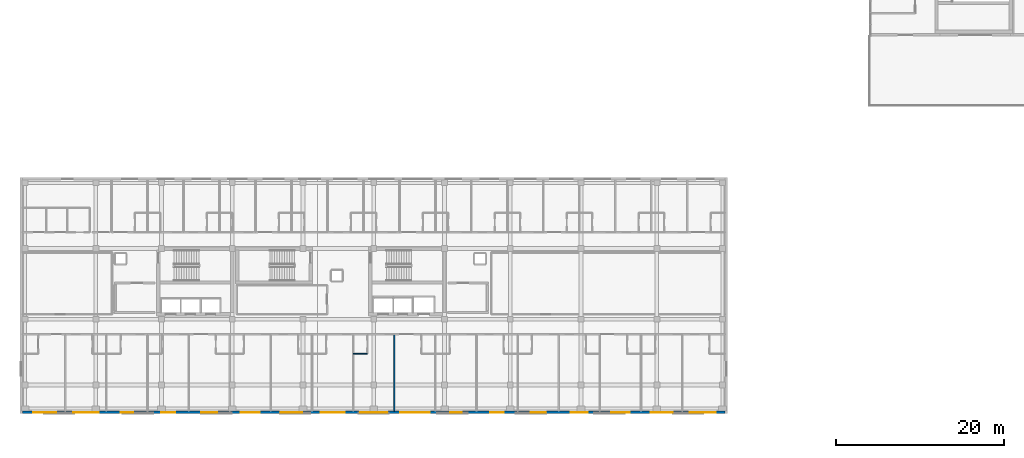
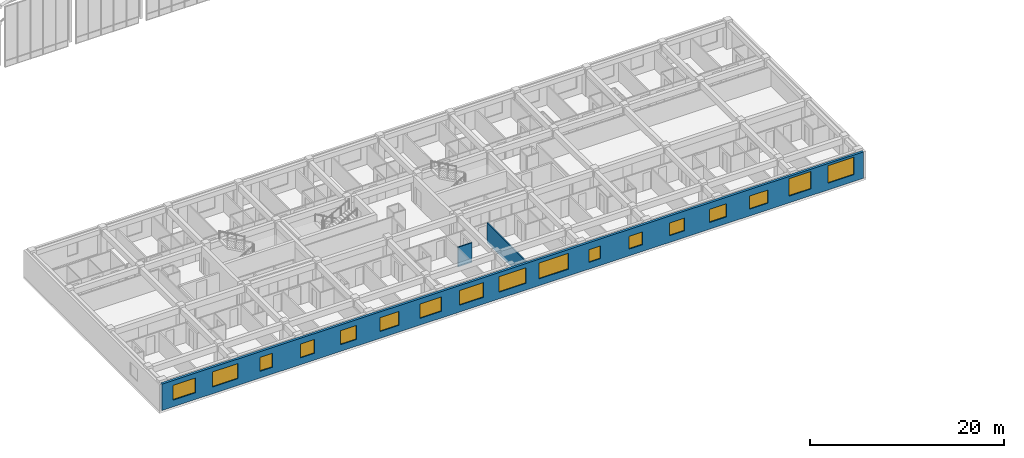
# One storey, part 134 of 144: 17 windows, 3 walls, 17 openings.
"""IFC4 building model written with IfcOpenShell, lengths in metres."""

from ifc_helpers import new_model, si_unit, direction, frame, frame_2d, origin, place, context, subcontext, project, spatial, rectangle, extrude, material, layer, layer_set, type_object, element, fill, save


model = new_model("IFC4")

# Units and contexts
model_context = context("Model", 3, precision=1e-05, world=origin(), true_north=direction((0.0, 1.0)))
body_context = subcontext(model_context, "Body", "Model", "MODEL_VIEW")
ifc_project = project(units=[si_unit("LENGTHUNIT", "METRE"), si_unit("AREAUNIT", "SQUARE_METRE"), si_unit("VOLUMEUNIT", "CUBIC_METRE"), si_unit("PLANEANGLEUNIT", "RADIAN"), si_unit("MASSUNIT", "GRAM", prefix="KILO")], contexts=[model_context])

# Site, building, storey
site_placement = place(None, origin())
site = spatial("IfcSite", under=ifc_project, at=site_placement, CompositionType="ELEMENT")
building_placement = place(site_placement, origin())
building = spatial("IfcBuilding", under=site, at=building_placement, Name="Zayran Congress Hotel", CompositionType="ELEMENT")
storey_placement = place(building_placement, frame((0.0, 0.0, 19.199951171875)))
storey = spatial("IfcBuildingStorey", under=building, at=storey_placement, Name="L04", CompositionType="ELEMENT", Elevation=19.199951171875)

# Wall, openings, windows
ifc_material_1 = material(Name="Hajar Ma'ani limestone cavity wall and concrete C32/40", Category="masonry")
ifc_layer_1 = layer(ifc_material_1, 0.280029296875)
ifc_layer_set_1 = layer_set([ifc_layer_1], Name="Hajar Ma'ani limestone cavity wall and concrete C32/40")
wall_type_1 = type_object("IfcWallType", Name="WL-EX-280", PredefinedType="SOLIDWALL", material=ifc_layer_set_1)
wall_1_placement = place(storey_placement, frame((92.1201171875, 6.139892578125, 0.0), z_axis=(0.0, 0.0, 1.0), x_axis=(-1.0, 0.0, 0.0)))
wall_1 = element("IfcWall", 1, at=wall_1_placement, inside=storey, type_object=wall_type_1, Name="EW-V5-S-L04", PredefinedType="SOLIDWALL", context=body_context, shape_type="SweptSolid", body=[
    extrude(rectangle(XDim=83.440185546875, YDim=0.280029296875, at=frame_2d((41.72021484375, 0.0))), origin(), (0.0, 0.0, 1.0), 3.320068359375),
])
opening_1_placement = place(wall_1_placement, frame((79.428955078125, 0.0, 0.85009765625)))
opening_1 = element("IfcOpeningElement", 2, at=opening_1_placement, cuts=wall_1, Name="Opening WN-04", PredefinedType="OPENING", context=body_context, shape_type="SweptSolid", body=[
    extrude(rectangle(XDim=2.699951171875, YDim=1.85009765625, at=frame_2d((1.35009765625, 0.925048828125))), frame((0.0, 0.14990234375, 0.0), z_axis=(0.0, -1.0, 0.0), x_axis=(1.0, 0.0, 0.0)), (0.0, 0.0, 1.0), 0.300048828125),
])
opening_2_placement = place(wall_1_placement, frame((74.39697265625, 0.0, 0.85009765625)))
opening_2 = element("IfcOpeningElement", 3, at=opening_2_placement, cuts=wall_1, Name="Opening WN-05", PredefinedType="OPENING", context=body_context, shape_type="SweptSolid", body=[
    extrude(rectangle(XDim=3.0, YDim=1.89990234375, at=frame_2d((1.5, 0.949951171875))), frame((0.0, 0.14990234375, 0.0), z_axis=(0.0, -1.0, 0.0), x_axis=(1.0, 0.0, 0.0)), (0.0, 0.0, 1.0), 0.300048828125),
])
opening_3_placement = place(wall_1_placement, frame((70.263916015625, 0.0, 0.85009765625)))
opening_3 = element("IfcOpeningElement", 4, at=opening_3_placement, cuts=wall_1, Name="Opening WN-06", PredefinedType="OPENING", context=body_context, shape_type="SweptSolid", body=[
    extrude(rectangle(XDim=1.5, YDim=1.75, at=frame_2d((0.75, 0.875))), frame((0.0, 0.14990234375, 0.0), z_axis=(0.0, -1.0, 0.0), x_axis=(1.0, 0.0, 0.0)), (0.0, 0.0, 1.0), 0.300048828125),
])
opening_4_placement = place(wall_1_placement, frame((65.306884765625, 0.0, 0.85009765625)))
opening_4 = element("IfcOpeningElement", 5, at=opening_4_placement, cuts=wall_1, Name="Opening WN-07", PredefinedType="OPENING", context=body_context, shape_type="SweptSolid", body=[
    extrude(rectangle(XDim=1.64990234375, YDim=1.75, at=frame_2d((0.824951171875, 0.875))), frame((0.0, 0.14990234375, 0.0), z_axis=(0.0, -1.0, 0.0), x_axis=(1.0, 0.0, 0.0)), (0.0, 0.0, 1.0), 0.300048828125),
])
opening_5_placement = place(wall_1_placement, frame((60.27490234375, 0.0, 0.85009765625)))
opening_5 = element("IfcOpeningElement", 6, at=opening_5_placement, cuts=wall_1, Name="Opening WN-08", PredefinedType="OPENING", context=body_context, shape_type="SweptSolid", body=[
    extrude(rectangle(XDim=1.949951171875, YDim=1.75, at=frame_2d((0.97509765625, 0.875))), frame((0.0, 0.14990234375, 0.0), z_axis=(0.0, -1.0, 0.0), x_axis=(1.0, 0.0, 0.0)), (0.0, 0.0, 1.0), 0.300048828125),
])
opening_6_placement = place(wall_1_placement, frame((55.241943359375, 0.0, 0.85009765625)))
opening_6 = element("IfcOpeningElement", 7, at=opening_6_placement, cuts=wall_1, Name="Opening WN-09", PredefinedType="OPENING", context=body_context, shape_type="SweptSolid", body=[
    extrude(rectangle(XDim=2.25, YDim=1.75, at=frame_2d((1.125, 0.875))), frame((0.0, 0.14990234375, 0.0), z_axis=(0.0, -1.0, 0.0), x_axis=(1.0, 0.0, 0.0)), (0.0, 0.0, 1.0), 0.300048828125),
])
opening_7_placement = place(wall_1_placement, frame((50.2099609375, 0.0, 0.85009765625)))
opening_7 = element("IfcOpeningElement", 8, at=opening_7_placement, cuts=wall_1, Name="Opening WN-10", PredefinedType="OPENING", context=body_context, shape_type="SweptSolid", body=[
    extrude(rectangle(XDim=2.550048828125, YDim=1.800048828125, at=frame_2d((1.27490234375, 0.89990234375))), frame((0.0, 0.14990234375, 0.0), z_axis=(0.0, -1.0, 0.0), x_axis=(1.0, 0.0, 0.0)), (0.0, 0.0, 1.0), 0.300048828125),
])
opening_8_placement = place(wall_1_placement, frame((45.177978515625, 0.0, 0.85009765625)))
opening_8 = element("IfcOpeningElement", 9, at=opening_8_placement, cuts=wall_1, Name="Opening WN-11", PredefinedType="OPENING", context=body_context, shape_type="SweptSolid", body=[
    extrude(rectangle(XDim=2.85009765625, YDim=1.85009765625, at=frame_2d((1.425048828125, 0.925048828125))), frame((0.0, 0.14990234375, 0.0), z_axis=(0.0, -1.0, 0.0), x_axis=(1.0, 0.0, 0.0)), (0.0, 0.0, 1.0), 0.300048828125),
])
opening_9_placement = place(wall_1_placement, frame((40.1201171875, 0.0, 0.85009765625)))
opening_9 = element("IfcOpeningElement", 10, at=opening_9_placement, cuts=wall_1, Name="Opening WN-12", PredefinedType="OPENING", context=body_context, shape_type="SweptSolid", body=[
    extrude(rectangle(XDim=3.199951171875, YDim=1.949951171875, at=frame_2d((1.60009765625, 0.97509765625))), frame((0.0, 0.14990234375, 0.0), z_axis=(0.0, -1.0, 0.0), x_axis=(1.0, 0.0, 0.0)), (0.0, 0.0, 1.0), 0.300048828125),
])
opening_10_placement = place(wall_1_placement, frame((35.087890625, 0.0, 0.85009765625)))
opening_10 = element("IfcOpeningElement", 11, at=opening_10_placement, cuts=wall_1, Name="Opening WN-13", PredefinedType="OPENING", context=body_context, shape_type="SweptSolid", body=[
    extrude(rectangle(XDim=3.5, YDim=2.0, at=frame_2d((1.75, 1.0))), frame((0.0, 0.14990234375, 0.0), z_axis=(0.0, -1.0, 0.0), x_axis=(1.0, 0.0, 0.0)), (0.0, 0.0, 1.0), 0.300048828125),
])
opening_11_placement = place(wall_1_placement, frame((31.2548828125, 0.0, 0.85009765625)))
opening_11 = element("IfcOpeningElement", 12, at=opening_11_placement, cuts=wall_1, Name="Opening WN-14", PredefinedType="OPENING", context=body_context, shape_type="SweptSolid", body=[
    extrude(rectangle(XDim=1.39990234375, YDim=1.60009765625, at=frame_2d((0.699951171875, 0.800048828125))), frame((0.0, 0.14990234375, 0.0), z_axis=(0.0, -1.0, 0.0), x_axis=(1.0, 0.0, 0.0)), (0.0, 0.0, 1.0), 0.300048828125),
])
opening_12_placement = place(wall_1_placement, frame((26.27294921875, 0.0, 0.85009765625)))
opening_12 = element("IfcOpeningElement", 13, at=opening_12_placement, cuts=wall_1, Name="Opening WN-15", PredefinedType="OPENING", context=body_context, shape_type="SweptSolid", body=[
    extrude(rectangle(XDim=1.60009765625, YDim=1.60009765625, at=frame_2d((0.800048828125, 0.800048828125))), frame((0.0, 0.14990234375, 0.0), z_axis=(0.0, -1.0, 0.0), x_axis=(1.0, 0.0, 0.0)), (0.0, 0.0, 1.0), 0.300048828125),
])
opening_13_placement = place(wall_1_placement, frame((21.291015625, 0.0, 0.85009765625)))
opening_13 = element("IfcOpeningElement", 14, at=opening_13_placement, cuts=wall_1, Name="Opening WN-16", PredefinedType="OPENING", context=body_context, shape_type="SweptSolid", body=[
    extrude(rectangle(XDim=1.800048828125, YDim=1.60009765625, at=frame_2d((0.89990234375, 0.800048828125))), frame((0.0, 0.14990234375, 0.0), z_axis=(0.0, -1.0, 0.0), x_axis=(1.0, 0.0, 0.0)), (0.0, 0.0, 1.0), 0.300048828125),
])
opening_14_placement = place(wall_1_placement, frame((16.30810546875, 0.0, 0.85009765625)))
opening_14 = element("IfcOpeningElement", 15, at=opening_14_placement, cuts=wall_1, Name="Opening WN-17", PredefinedType="OPENING", context=body_context, shape_type="SweptSolid", body=[
    extrude(rectangle(XDim=2.0, YDim=1.64990234375, at=frame_2d((1.0, 0.824951171875))), frame((0.0, 0.14990234375, 0.0), z_axis=(0.0, -1.0, 0.0), x_axis=(1.0, 0.0, 0.0)), (0.0, 0.0, 1.0), 0.300048828125),
])
opening_15_placement = place(wall_1_placement, frame((11.325927734375, 0.0, 0.85009765625)))
opening_15 = element("IfcOpeningElement", 16, at=opening_15_placement, cuts=wall_1, Name="Opening WN-18", PredefinedType="OPENING", context=body_context, shape_type="SweptSolid", body=[
    extrude(rectangle(XDim=2.199951171875, YDim=1.64990234375, at=frame_2d((1.10009765625, 0.824951171875))), frame((0.0, 0.14990234375, 0.0), z_axis=(0.0, -1.0, 0.0), x_axis=(1.0, 0.0, 0.0)), (0.0, 0.0, 1.0), 0.300048828125),
])
opening_16_placement = place(wall_1_placement, frame((6.242919921875, 0.0, 0.85009765625)))
opening_16 = element("IfcOpeningElement", 17, at=opening_16_placement, cuts=wall_1, Name="Opening WN-19", PredefinedType="OPENING", context=body_context, shape_type="SweptSolid", body=[
    extrude(rectangle(XDim=2.60009765625, YDim=2.199951171875, at=frame_2d((1.300048828125, 1.10009765625))), frame((0.0, 0.14990234375, 0.0), z_axis=(0.0, -1.0, 0.0), x_axis=(1.0, 0.0, 0.0)), (0.0, 0.0, 1.0), 0.300048828125),
])
opening_17_placement = place(wall_1_placement, frame((1.111083984375, 0.0, 0.85009765625)))
opening_17 = element("IfcOpeningElement", 18, at=opening_17_placement, cuts=wall_1, Name="Opening WN-20", PredefinedType="OPENING", context=body_context, shape_type="SweptSolid", body=[
    extrude(rectangle(XDim=3.10009765625, YDim=2.199951171875, at=frame_2d((1.550048828125, 1.10009765625))), frame((0.0, 0.14990234375, 0.0), z_axis=(0.0, -1.0, 0.0), x_axis=(1.0, 0.0, 0.0)), (0.0, 0.0, 1.0), 0.300048828125),
])
ifc_material_2 = material(Name="Anodised aluminium and low-E insulated glass", Category="aluminium")
window_type_1 = type_object("IfcWindowType", Name="TP-WN-04", PartitioningType="TRIPLE_PANEL_VERTICAL", PredefinedType="WINDOW", material=ifc_material_2)
window_1_placement = place(opening_1_placement, origin())
window_1 = element("IfcWindow", 19, at=window_1_placement, inside=storey, type_object=window_type_1, Name="WIN-V5S-L04-0267", OverallHeight=1.85009765625, OverallWidth=2.699951171875, PartitioningType="SINGLE_PANEL", PredefinedType="WINDOW", context=body_context, shape_type="SweptSolid", body=[
    extrude(rectangle(XDim=2.699951171875, YDim=1.85009765625, at=frame_2d((1.35009765625, 0.925048828125))), frame((0.0, 0.030029296875, 0.0), z_axis=(0.0, -1.0, 0.0), x_axis=(1.0, 0.0, 0.0)), (0.0, 0.0, 1.0), 0.06005859375),
])
fill(opening_1, window_1)
window_type_2 = type_object("IfcWindowType", Name="TP-WN-05", PartitioningType="TRIPLE_PANEL_VERTICAL", PredefinedType="WINDOW", material=ifc_material_2)
window_2_placement = place(opening_2_placement, origin())
window_2 = element("IfcWindow", 20, at=window_2_placement, inside=storey, type_object=window_type_2, Name="WIN-V5S-L04-0268", OverallHeight=1.89990234375, OverallWidth=3.0, PartitioningType="SINGLE_PANEL", PredefinedType="WINDOW", context=body_context, shape_type="SweptSolid", body=[
    extrude(rectangle(XDim=3.0, YDim=1.89990234375, at=frame_2d((1.5, 0.949951171875))), frame((0.0, 0.030029296875, 0.0), z_axis=(0.0, -1.0, 0.0), x_axis=(1.0, 0.0, 0.0)), (0.0, 0.0, 1.0), 0.06005859375),
])
fill(opening_2, window_2)
window_type_3 = type_object("IfcWindowType", Name="TP-WN-06", PartitioningType="SINGLE_PANEL", PredefinedType="WINDOW", material=ifc_material_2)
window_3_placement = place(opening_3_placement, origin())
window_3 = element("IfcWindow", 21, at=window_3_placement, inside=storey, type_object=window_type_3, Name="WIN-V5S-L04-0269", OverallHeight=1.75, OverallWidth=1.5, PartitioningType="SINGLE_PANEL", PredefinedType="WINDOW", context=body_context, shape_type="SweptSolid", body=[
    extrude(rectangle(XDim=1.5, YDim=1.75, at=frame_2d((0.75, 0.875))), frame((0.0, 0.030029296875, 0.0), z_axis=(0.0, -1.0, 0.0), x_axis=(1.0, 0.0, 0.0)), (0.0, 0.0, 1.0), 0.06005859375),
])
fill(opening_3, window_3)
window_type_4 = type_object("IfcWindowType", Name="TP-WN-07", PartitioningType="SINGLE_PANEL", PredefinedType="WINDOW", material=ifc_material_2)
window_4_placement = place(opening_4_placement, origin())
window_4 = element("IfcWindow", 22, at=window_4_placement, inside=storey, type_object=window_type_4, Name="WIN-V5S-L04-0270", OverallHeight=1.75, OverallWidth=1.64990234375, PartitioningType="SINGLE_PANEL", PredefinedType="WINDOW", context=body_context, shape_type="SweptSolid", body=[
    extrude(rectangle(XDim=1.64990234375, YDim=1.75, at=frame_2d((0.824951171875, 0.875))), frame((0.0, 0.030029296875, 0.0), z_axis=(0.0, -1.0, 0.0), x_axis=(1.0, 0.0, 0.0)), (0.0, 0.0, 1.0), 0.06005859375),
])
fill(opening_4, window_4)
window_type_5 = type_object("IfcWindowType", Name="TP-WN-08", PartitioningType="DOUBLE_PANEL_VERTICAL", PredefinedType="WINDOW", material=ifc_material_2)
window_5_placement = place(opening_5_placement, origin())
window_5 = element("IfcWindow", 23, at=window_5_placement, inside=storey, type_object=window_type_5, Name="WIN-V5S-L04-0271", OverallHeight=1.75, OverallWidth=1.949951171875, PartitioningType="SINGLE_PANEL", PredefinedType="WINDOW", context=body_context, shape_type="SweptSolid", body=[
    extrude(rectangle(XDim=1.949951171875, YDim=1.75, at=frame_2d((0.97509765625, 0.875))), frame((0.0, 0.030029296875, 0.0), z_axis=(0.0, -1.0, 0.0), x_axis=(1.0, 0.0, 0.0)), (0.0, 0.0, 1.0), 0.06005859375),
])
fill(opening_5, window_5)
window_type_6 = type_object("IfcWindowType", Name="TP-WN-09", PartitioningType="DOUBLE_PANEL_VERTICAL", PredefinedType="WINDOW", material=ifc_material_2)
window_6_placement = place(opening_6_placement, origin())
window_6 = element("IfcWindow", 24, at=window_6_placement, inside=storey, type_object=window_type_6, Name="WIN-V5S-L04-0272", OverallHeight=1.75, OverallWidth=2.25, PartitioningType="SINGLE_PANEL", PredefinedType="WINDOW", context=body_context, shape_type="SweptSolid", body=[
    extrude(rectangle(XDim=2.25, YDim=1.75, at=frame_2d((1.125, 0.875))), frame((0.0, 0.030029296875, 0.0), z_axis=(0.0, -1.0, 0.0), x_axis=(1.0, 0.0, 0.0)), (0.0, 0.0, 1.0), 0.06005859375),
])
fill(opening_6, window_6)
window_type_7 = type_object("IfcWindowType", Name="TP-WN-10", PartitioningType="DOUBLE_PANEL_VERTICAL", PredefinedType="WINDOW", material=ifc_material_2)
window_7_placement = place(opening_7_placement, origin())
window_7 = element("IfcWindow", 25, at=window_7_placement, inside=storey, type_object=window_type_7, Name="WIN-V5S-L04-0273", OverallHeight=1.800048828125, OverallWidth=2.550048828125, PartitioningType="SINGLE_PANEL", PredefinedType="WINDOW", context=body_context, shape_type="SweptSolid", body=[
    extrude(rectangle(XDim=2.550048828125, YDim=1.800048828125, at=frame_2d((1.27490234375, 0.89990234375))), frame((0.0, 0.030029296875, 0.0), z_axis=(0.0, -1.0, 0.0), x_axis=(1.0, 0.0, 0.0)), (0.0, 0.0, 1.0), 0.06005859375),
])
fill(opening_7, window_7)
window_type_8 = type_object("IfcWindowType", Name="TP-WN-11", PartitioningType="TRIPLE_PANEL_VERTICAL", PredefinedType="WINDOW", material=ifc_material_2)
window_8_placement = place(opening_8_placement, origin())
window_8 = element("IfcWindow", 26, at=window_8_placement, inside=storey, type_object=window_type_8, Name="WIN-V5S-L04-0274", OverallHeight=1.85009765625, OverallWidth=2.85009765625, PartitioningType="SINGLE_PANEL", PredefinedType="WINDOW", context=body_context, shape_type="SweptSolid", body=[
    extrude(rectangle(XDim=2.85009765625, YDim=1.85009765625, at=frame_2d((1.425048828125, 0.925048828125))), frame((0.0, 0.030029296875, 0.0), z_axis=(0.0, -1.0, 0.0), x_axis=(1.0, 0.0, 0.0)), (0.0, 0.0, 1.0), 0.06005859375),
])
fill(opening_8, window_8)
window_type_9 = type_object("IfcWindowType", Name="TP-WN-12", PartitioningType="TRIPLE_PANEL_VERTICAL", PredefinedType="WINDOW", material=ifc_material_2)
window_9_placement = place(opening_9_placement, origin())
window_9 = element("IfcWindow", 27, at=window_9_placement, inside=storey, type_object=window_type_9, Name="WIN-V5S-L04-0275", OverallHeight=1.949951171875, OverallWidth=3.199951171875, PartitioningType="SINGLE_PANEL", PredefinedType="WINDOW", context=body_context, shape_type="SweptSolid", body=[
    extrude(rectangle(XDim=3.199951171875, YDim=1.949951171875, at=frame_2d((1.60009765625, 0.97509765625))), frame((0.0, 0.030029296875, 0.0), z_axis=(0.0, -1.0, 0.0), x_axis=(1.0, 0.0, 0.0)), (0.0, 0.0, 1.0), 0.06005859375),
])
fill(opening_9, window_9)
window_type_10 = type_object("IfcWindowType", Name="TP-WN-13", PartitioningType="TRIPLE_PANEL_VERTICAL", PredefinedType="WINDOW", material=ifc_material_2)
window_10_placement = place(opening_10_placement, origin())
window_10 = element("IfcWindow", 28, at=window_10_placement, inside=storey, type_object=window_type_10, Name="WIN-V5S-L04-0276", OverallHeight=2.0, OverallWidth=3.5, PartitioningType="SINGLE_PANEL", PredefinedType="WINDOW", context=body_context, shape_type="SweptSolid", body=[
    extrude(rectangle(XDim=3.5, YDim=2.0, at=frame_2d((1.75, 1.0))), frame((0.0, 0.030029296875, 0.0), z_axis=(0.0, -1.0, 0.0), x_axis=(1.0, 0.0, 0.0)), (0.0, 0.0, 1.0), 0.06005859375),
])
fill(opening_10, window_10)
window_type_11 = type_object("IfcWindowType", Name="TP-WN-14", PartitioningType="SINGLE_PANEL", PredefinedType="WINDOW", material=ifc_material_2)
window_11_placement = place(opening_11_placement, origin())
window_11 = element("IfcWindow", 29, at=window_11_placement, inside=storey, type_object=window_type_11, Name="WIN-V5S-L04-0277", OverallHeight=1.60009765625, OverallWidth=1.39990234375, PartitioningType="SINGLE_PANEL", PredefinedType="WINDOW", context=body_context, shape_type="SweptSolid", body=[
    extrude(rectangle(XDim=1.39990234375, YDim=1.60009765625, at=frame_2d((0.699951171875, 0.800048828125))), frame((0.0, 0.030029296875, 0.0), z_axis=(0.0, -1.0, 0.0), x_axis=(1.0, 0.0, 0.0)), (0.0, 0.0, 1.0), 0.06005859375),
])
fill(opening_11, window_11)
window_type_12 = type_object("IfcWindowType", Name="TP-WN-15", PartitioningType="SINGLE_PANEL", PredefinedType="WINDOW", material=ifc_material_2)
window_12_placement = place(opening_12_placement, origin())
window_12 = element("IfcWindow", 30, at=window_12_placement, inside=storey, type_object=window_type_12, Name="WIN-V5S-L04-0278", OverallHeight=1.60009765625, OverallWidth=1.60009765625, PartitioningType="SINGLE_PANEL", PredefinedType="WINDOW", context=body_context, shape_type="SweptSolid", body=[
    extrude(rectangle(XDim=1.60009765625, YDim=1.60009765625, at=frame_2d((0.800048828125, 0.800048828125))), frame((0.0, 0.030029296875, 0.0), z_axis=(0.0, -1.0, 0.0), x_axis=(1.0, 0.0, 0.0)), (0.0, 0.0, 1.0), 0.06005859375),
])
fill(opening_12, window_12)
window_type_13 = type_object("IfcWindowType", Name="TP-WN-16", PartitioningType="DOUBLE_PANEL_VERTICAL", PredefinedType="WINDOW", material=ifc_material_2)
window_13_placement = place(opening_13_placement, origin())
window_13 = element("IfcWindow", 31, at=window_13_placement, inside=storey, type_object=window_type_13, Name="WIN-V5S-L04-0279", OverallHeight=1.60009765625, OverallWidth=1.800048828125, PartitioningType="SINGLE_PANEL", PredefinedType="WINDOW", context=body_context, shape_type="SweptSolid", body=[
    extrude(rectangle(XDim=1.800048828125, YDim=1.60009765625, at=frame_2d((0.89990234375, 0.800048828125))), frame((0.0, 0.030029296875, 0.0), z_axis=(0.0, -1.0, 0.0), x_axis=(1.0, 0.0, 0.0)), (0.0, 0.0, 1.0), 0.06005859375),
])
fill(opening_13, window_13)
window_type_14 = type_object("IfcWindowType", Name="TP-WN-17", PartitioningType="DOUBLE_PANEL_VERTICAL", PredefinedType="WINDOW", material=ifc_material_2)
window_14_placement = place(opening_14_placement, origin())
window_14 = element("IfcWindow", 32, at=window_14_placement, inside=storey, type_object=window_type_14, Name="WIN-V5S-L04-0280", OverallHeight=1.64990234375, OverallWidth=2.0, PartitioningType="SINGLE_PANEL", PredefinedType="WINDOW", context=body_context, shape_type="SweptSolid", body=[
    extrude(rectangle(XDim=2.0, YDim=1.64990234375, at=frame_2d((1.0, 0.824951171875))), frame((0.0, 0.030029296875, 0.0), z_axis=(0.0, -1.0, 0.0), x_axis=(1.0, 0.0, 0.0)), (0.0, 0.0, 1.0), 0.06005859375),
])
fill(opening_14, window_14)
window_type_15 = type_object("IfcWindowType", Name="TP-WN-18", PartitioningType="DOUBLE_PANEL_VERTICAL", PredefinedType="WINDOW", material=ifc_material_2)
window_15_placement = place(opening_15_placement, origin())
window_15 = element("IfcWindow", 33, at=window_15_placement, inside=storey, type_object=window_type_15, Name="WIN-V5S-L04-0281", OverallHeight=1.64990234375, OverallWidth=2.199951171875, PartitioningType="SINGLE_PANEL", PredefinedType="WINDOW", context=body_context, shape_type="SweptSolid", body=[
    extrude(rectangle(XDim=2.199951171875, YDim=1.64990234375, at=frame_2d((1.10009765625, 0.824951171875))), frame((0.0, 0.030029296875, 0.0), z_axis=(0.0, -1.0, 0.0), x_axis=(1.0, 0.0, 0.0)), (0.0, 0.0, 1.0), 0.06005859375),
])
fill(opening_15, window_15)
window_type_16 = type_object("IfcWindowType", Name="TP-WN-19", PartitioningType="DOUBLE_PANEL_VERTICAL", PredefinedType="WINDOW", material=ifc_material_2)
window_16_placement = place(opening_16_placement, origin())
window_16 = element("IfcWindow", 34, at=window_16_placement, inside=storey, type_object=window_type_16, Name="WIN-V5S-L04-0282", OverallHeight=2.199951171875, OverallWidth=2.60009765625, PartitioningType="SINGLE_PANEL", PredefinedType="WINDOW", context=body_context, shape_type="SweptSolid", body=[
    extrude(rectangle(XDim=2.60009765625, YDim=2.199951171875, at=frame_2d((1.300048828125, 1.10009765625))), frame((0.0, 0.030029296875, 0.0), z_axis=(0.0, -1.0, 0.0), x_axis=(1.0, 0.0, 0.0)), (0.0, 0.0, 1.0), 0.06005859375),
])
fill(opening_16, window_16)
window_type_17 = type_object("IfcWindowType", Name="TP-WN-20", PartitioningType="TRIPLE_PANEL_VERTICAL", PredefinedType="WINDOW", material=ifc_material_2)
window_17_placement = place(opening_17_placement, origin())
window_17 = element("IfcWindow", 35, at=window_17_placement, inside=storey, type_object=window_type_17, Name="WIN-V5S-L04-0283", OverallHeight=2.199951171875, OverallWidth=3.10009765625, PartitioningType="SINGLE_PANEL", PredefinedType="WINDOW", context=body_context, shape_type="SweptSolid", body=[
    extrude(rectangle(XDim=3.10009765625, YDim=2.199951171875, at=frame_2d((1.550048828125, 1.10009765625))), frame((0.0, 0.030029296875, 0.0), z_axis=(0.0, -1.0, 0.0), x_axis=(1.0, 0.0, 0.0)), (0.0, 0.0, 1.0), 0.06005859375),
])
fill(opening_17, window_17)

# Walls
ifc_material_3 = material(Name="Hospitality guestroom acoustic partition", Category="gypsum")
ifc_layer_2 = layer(ifc_material_3, 0.139892578125)
ifc_layer_set_2 = layer_set([ifc_layer_2], Name="Hospitality guestroom acoustic partition")
wall_type_2 = type_object("IfcWallType", Name="WL-PT-140", PredefinedType="PARTITIONING", material=ifc_layer_set_2)
wall_2_placement = place(storey_placement, frame((52.8310546875, 6.280029296875, 0.0), z_axis=(0.0, 0.0, 1.0), x_axis=(0.0, 1.0, 0.0)))
element("IfcWall", 36, at=wall_2_placement, inside=storey, type_object=wall_type_2, Name="IW-L04-1952", PredefinedType="PARTITIONING", context=body_context, shape_type="SweptSolid", body=[
    extrude(rectangle(XDim=9.14990234375, YDim=0.139892578125, at=frame_2d((4.574951171875, 0.0))), origin(), (0.0, 0.0, 1.0), 2.47998046875),
])
ifc_material_4 = material(Name="Moisture-resistant bathroom partition", Category="gypsum")
ifc_layer_3 = layer(ifc_material_4, 0.1201171875)
ifc_layer_set_3 = layer_set([ifc_layer_3], Name="Moisture-resistant bathroom partition")
wall_type_3 = type_object("IfcWallType", Name="WL-PT-120", PredefinedType="PARTITIONING", material=ifc_layer_set_3)
wall_3_placement = place(storey_placement, frame((47.958984375, 13.1298828125, 0.0), z_axis=(0.0, 0.0, 1.0), x_axis=(1.0, 0.0, 0.0)))
element("IfcWall", 37, at=wall_3_placement, inside=storey, type_object=wall_type_3, Name="IW-L04-1137", PredefinedType="PARTITIONING", context=body_context, shape_type="SweptSolid", body=[
    extrude(rectangle(XDim=1.679931640625, YDim=0.1201171875, at=frame_2d((0.83984375, 0.0))), origin(), (0.0, 0.0, 1.0), 2.47998046875),
])

save(model, "model.ifc")
